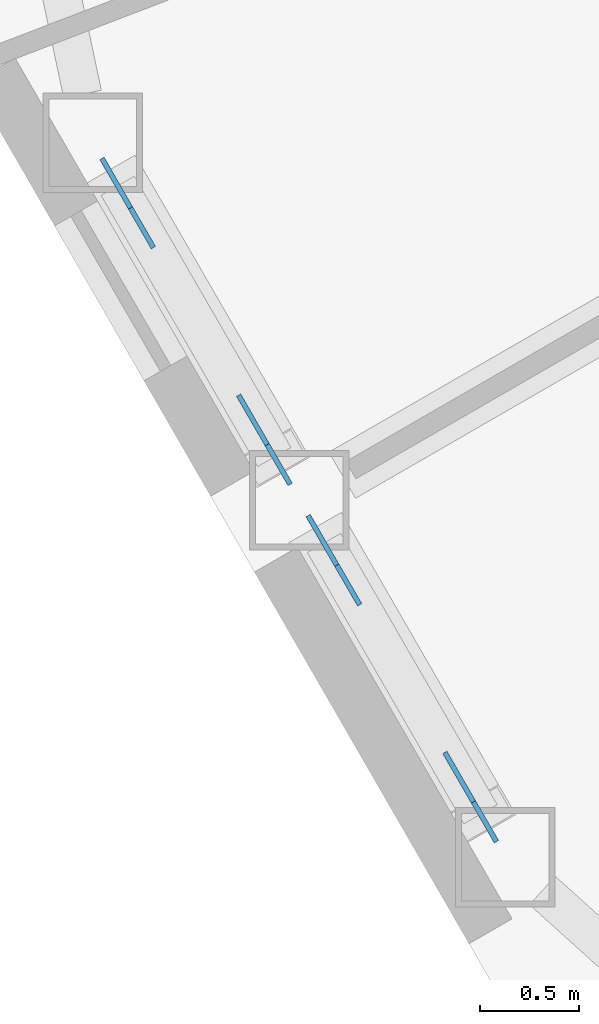
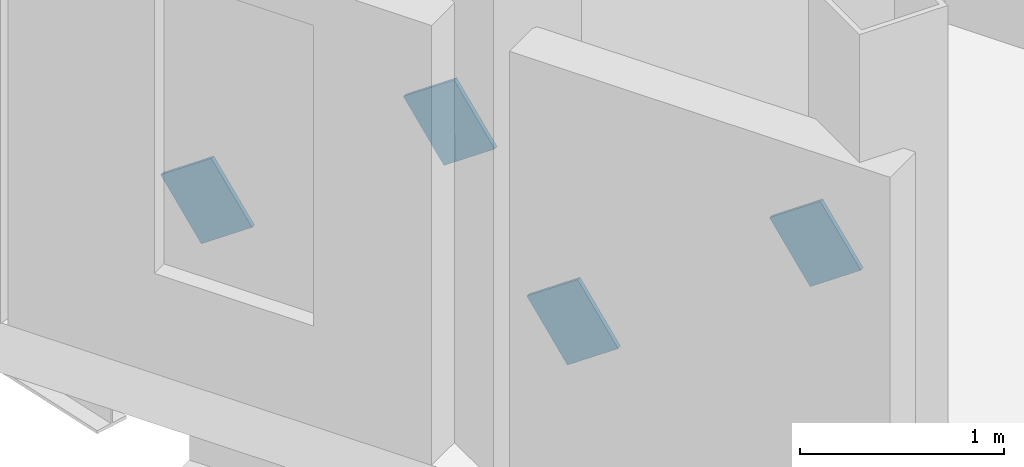
# One storey, part 18 of 26: 4 discrete accessories.
"""IFC4 building model written with IfcOpenShell, lengths in metres."""

from ifc_helpers import new_model, si_unit, direction, frame, origin, origin_2d, place, context, subcontext, project, spatial, rectangle, extrude, material, material_profile, profile_set, type_object, element, save


model = new_model("IFC4")

# Units and contexts
model_context = context("Model", 3, precision=1e-05, world=origin(), true_north=direction((0.0, 1.0)))
body_context = subcontext(model_context, "Body", "Model", "MODEL_VIEW")
ifc_project = project(units=[si_unit("LENGTHUNIT", "METRE"), si_unit("AREAUNIT", "SQUARE_METRE"), si_unit("VOLUMEUNIT", "CUBIC_METRE"), si_unit("PLANEANGLEUNIT", "RADIAN"), si_unit("MASSUNIT", "GRAM", prefix="KILO")], contexts=[model_context])

# Site, building, storey
site_placement = place(None, origin())
site = spatial("IfcSite", under=ifc_project, at=site_placement, CompositionType="ELEMENT")
building_placement = place(site_placement, origin())
building = spatial("IfcBuilding", under=site, at=building_placement, Name="Cormorant Prow Tower", CompositionType="ELEMENT")
storey_placement = place(building_placement, frame((0.0, 0.0, 367.800048828125)))
storey = spatial("IfcBuildingStorey", under=building, at=storey_placement, Name="L82", CompositionType="ELEMENT", Elevation=367.800048828125)

# Discrete accessories
ifc_material = material(Name="Structural steel ASTM A500 Gr C", Category="steel")
ifc_material_profile = material_profile(ifc_material, rectangle(XDim=0.02490234375, YDim=0.405029296875, at=origin_2d()), Name="Gusset plate 25x405")
ifc_profile_set = profile_set([ifc_material_profile], Name="Structural steel ASTM A500 Gr C")
discrete_accessory_type = type_object("IfcDiscreteAccessoryType", Name="Gusset plate 25x405", PredefinedType="BRACKET", material=ifc_profile_set)
for number, where, z_axis, x_axis, name in (
    (1, (-27.8271484375, -14.2412109375, 0.941162109375), (-0.411016012482, 0.712474276306, -0.568723344945), (-0.866199709737, -0.499697971631, 0.0), "Gusset plate GP3 L82.WSW00.g0"),
    (2, (-27.28369140625, -15.182373046875, 1.692626953125), (0.411595697368, -0.712269842394, 0.568560158228), (0.865832418869, 0.500334110806, 0.0), "Gusset plate GP3 L82.WSW00.g1"),
    (3, (-26.7900390625, -16.037109375, 0.941162109375), (-0.411595697368, 0.712269842394, -0.568560158228), (-0.865832418869, -0.500334110806, 0.0), "Gusset plate GP3 L82.WSW01.g0"),
    (4, (-26.246826171875, -16.978271484375, 1.692626953125), (0.411595697368, -0.712269842394, 0.568560158228), (0.865832418869, 0.500334110806, 0.0), "Gusset plate GP3 L82.WSW01.g1"),
):
    element("IfcDiscreteAccessory", number, at=place(storey_placement, frame(where, z_axis=z_axis, x_axis=x_axis)), inside=storey, type_object=discrete_accessory_type, Name=name, PredefinedType="BRACKET", context=body_context, shape_type="SweptSolid", body=[
        extrude(rectangle(XDim=0.02490234375, YDim=0.405029296875, at=origin_2d()), origin(), (0.0, 0.0, 1.0), 0.349853515625),
    ])

save(model, "model.ifc")
